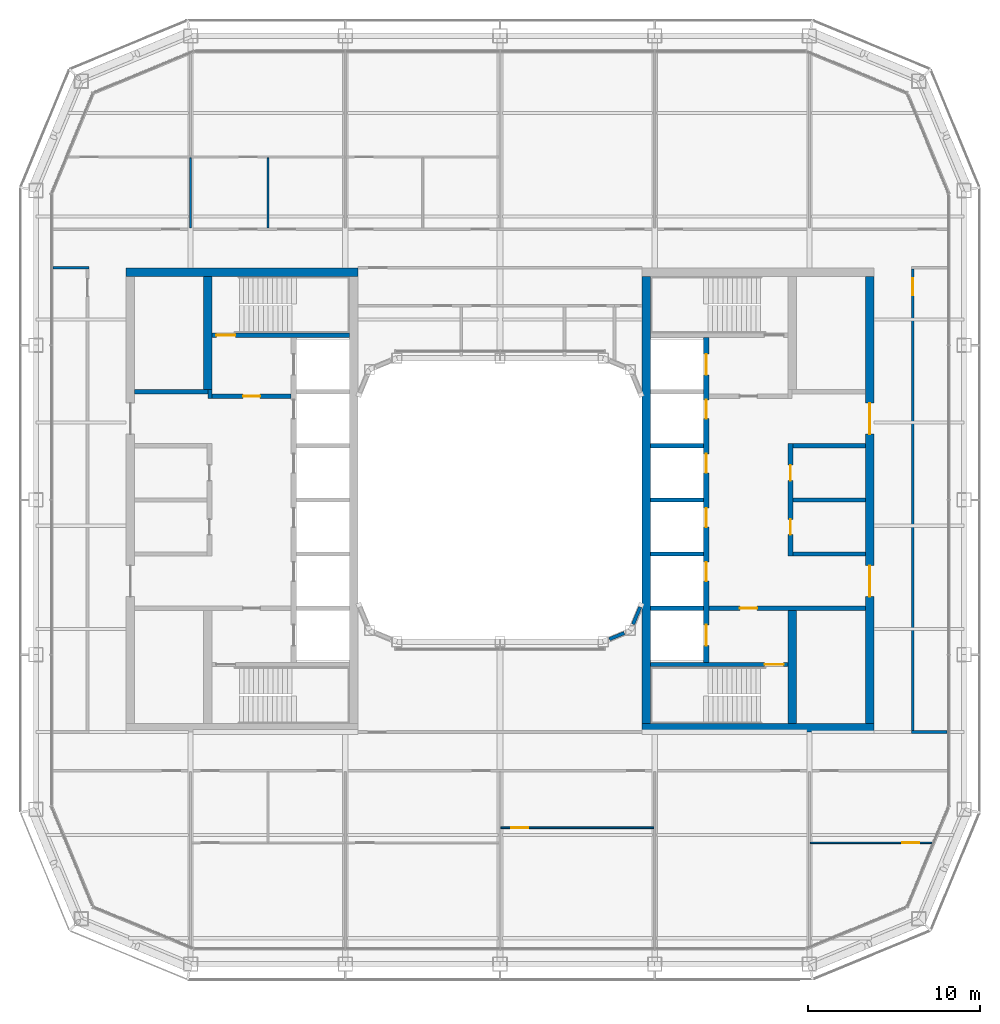
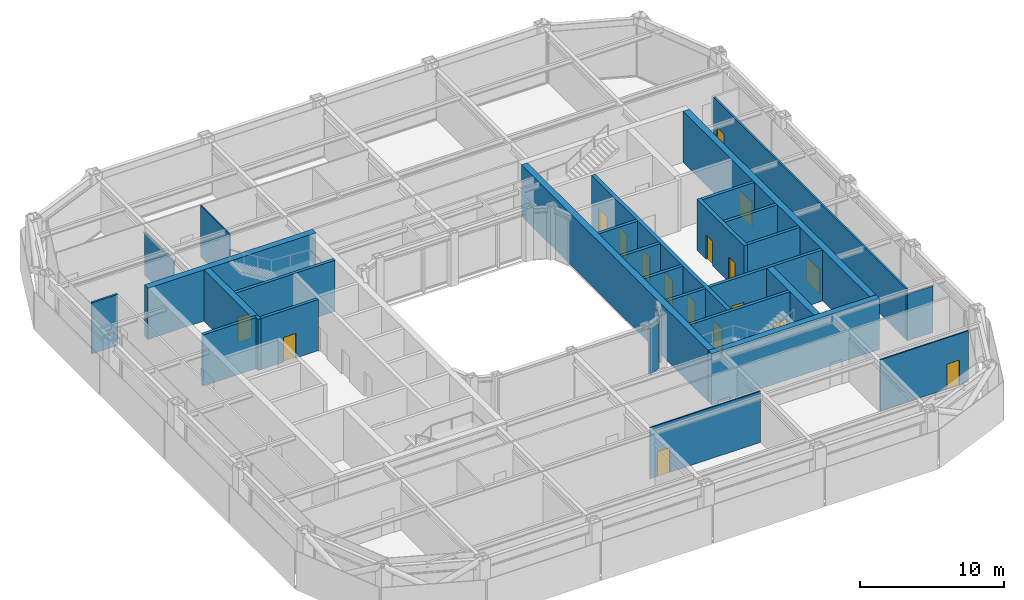
# One storey, part 13 of 19: 30 walls, 17 doors, 17 openings.
"""IFC4 building model written with IfcOpenShell, lengths in metres."""

from ifc_helpers import new_model, si_unit, direction, frame, frame_2d, origin, place, context, subcontext, project, spatial, rectangle, extrude, material, layer, layer_set, type_object, element, fill, save


model = new_model("IFC4")

# Units and contexts
model_context = context("Model", 3, precision=1e-05, world=origin(), true_north=direction((0.0, 1.0)))
body_context = subcontext(model_context, "Body", "Model", "MODEL_VIEW")
ifc_project = project(units=[si_unit("LENGTHUNIT", "METRE"), si_unit("AREAUNIT", "SQUARE_METRE"), si_unit("VOLUMEUNIT", "CUBIC_METRE"), si_unit("PLANEANGLEUNIT", "RADIAN"), si_unit("MASSUNIT", "GRAM", prefix="KILO")], contexts=[model_context])

# Site, building, storey
site_placement = place(None, origin())
site = spatial("IfcSite", under=ifc_project, at=site_placement, CompositionType="ELEMENT")
building_placement = place(site_placement, origin())
building = spatial("IfcBuilding", under=site, at=building_placement, Name="Siwar Civic Tower", CompositionType="ELEMENT")
storey_placement = place(building_placement, frame((0.0, 0.0, 228.699951171875)))
storey = spatial("IfcBuildingStorey", under=building, at=storey_placement, Name="L49", CompositionType="ELEMENT", Elevation=228.699951171875)

# Wall, opening, door
ifc_material_1 = material(Name="Concrete C60/75", Category="concrete")
ifc_layer_1 = layer(ifc_material_1, 0.25)
ifc_layer_set_1 = layer_set([ifc_layer_1], Name="Concrete C60/75")
wall_type_1 = type_object("IfcWallType", Name="CORE-WALL-RC250", PredefinedType="SHEAR", material=ifc_layer_set_1)
wall_1_placement = place(storey_placement, frame((-12.14990234375, 6.02490234375, 0.0), z_axis=(0.0, 0.0, 1.0), x_axis=(-1.0, 0.0, 0.0)))
wall_1 = element("IfcWall", 1, at=wall_1_placement, inside=storey, type_object=wall_type_1, Name="Core wall W", PredefinedType="SHEAR", context=body_context, shape_type="SweptSolid", body=[
    extrude(rectangle(XDim=4.60009765625, YDim=0.25, at=frame_2d((2.300048828125, 0.0))), origin(), (0.0, 0.0, 1.0), 4.35009765625),
])
opening_1_placement = place(wall_1_placement, frame((1.800048828125, 0.0, 0.0)))
opening_1 = element("IfcOpeningElement", 2, at=opening_1_placement, cuts=wall_1, Name="Opening L49-CW01", PredefinedType="OPENING", context=body_context, shape_type="SweptSolid", body=[
    extrude(rectangle(XDim=1.0, YDim=2.10009765625, at=frame_2d((0.5, 1.050048828125))), frame((0.0, 0.135009765625, 0.0), z_axis=(0.0, -1.0, 0.0), x_axis=(1.0, 0.0, 0.0)), (0.0, 0.0, 1.0), 0.27001953125),
])
ifc_material_2 = material(Name="Steel door leaf", Category="steel")
door_type_1 = type_object("IfcDoorType", Name="CORE-DOOR-FD30S", OperationType="SINGLE_SWING_LEFT", PredefinedType="DOOR", material=ifc_material_2)
door_1_placement = place(opening_1_placement, origin())
door_1 = element("IfcDoor", 3, at=door_1_placement, inside=storey, type_object=door_type_1, Name="Firefighting lobby door L49-CW01", OperationType="SINGLE_SWING_LEFT", OverallHeight=2.10009765625, OverallWidth=1.0, PredefinedType="DOOR", context=body_context, shape_type="SweptSolid", body=[
    extrude(rectangle(XDim=1.0, YDim=2.10009765625, at=frame_2d((0.5, 1.050048828125))), frame((0.0, 0.02490234375, 0.0), z_axis=(0.0, -1.0, 0.0), x_axis=(1.0, 0.0, 0.0)), (0.0, 0.0, 1.0), 0.050048828125),
])
fill(opening_1, door_1)

# Walls
wall_2_placement = place(storey_placement, frame((-16.875, 5.89990234375, 0.0), z_axis=(0.0, 0.0, 1.0), x_axis=(0.0, 1.0, 0.0)))
element("IfcWall", 4, at=wall_2_placement, inside=storey, type_object=wall_type_1, Name="Core wall W", PredefinedType="SHEAR", context=body_context, shape_type="SweptSolid", body=[
    extrude(rectangle(XDim=0.525146484375, YDim=0.25, at=frame_2d((0.2626953125, 0.0))), origin(), (0.0, 0.0, 1.0), 4.35009765625),
])
wall_3_placement = place(storey_placement, frame((-17.0, 6.300048828125, 0.0), z_axis=(0.0, 0.0, 1.0), x_axis=(-1.0, 0.0, 0.0)))
element("IfcWall", 5, at=wall_3_placement, inside=storey, type_object=wall_type_1, Name="Core wall W", PredefinedType="SHEAR", context=body_context, shape_type="SweptSolid", body=[
    extrude(rectangle(XDim=4.25, YDim=0.25, at=frame_2d((2.125, 0.0))), origin(), (0.0, 0.0, 1.0), 4.35009765625),
])

# Wall, opening, door
wall_4_placement = place(storey_placement, frame((-8.75, 9.574951171875, 0.0), z_axis=(0.0, 0.0, 1.0), x_axis=(-1.0, 0.0, 0.0)))
wall_4 = element("IfcWall", 6, at=wall_4_placement, inside=storey, type_object=wall_type_1, Name="Core wall W", PredefinedType="SHEAR", context=body_context, shape_type="SweptSolid", body=[
    extrude(rectangle(XDim=8.0, YDim=0.25, at=frame_2d((4.0, 0.0))), origin(), (0.0, 0.0, 1.0), 4.35009765625),
])
opening_2_placement = place(wall_4_placement, frame((6.64990234375, 0.0, 0.0)))
opening_2 = element("IfcOpeningElement", 7, at=opening_2_placement, cuts=wall_4, Name="Opening L49-CW03", PredefinedType="OPENING", context=body_context, shape_type="SweptSolid", body=[
    extrude(rectangle(XDim=1.10009765625, YDim=2.10009765625, at=frame_2d((0.550048828125, 1.050048828125))), frame((0.0, 0.135009765625, 0.0), z_axis=(0.0, -1.0, 0.0), x_axis=(1.0, 0.0, 0.0)), (0.0, 0.0, 1.0), 0.27001953125),
])
ifc_material_3 = material(Name="Steel door leaf", Category="steel")
door_type_2 = type_object("IfcDoorType", Name="CORE-DOOR-FD60S", OperationType="SINGLE_SWING_LEFT", PredefinedType="DOOR", material=ifc_material_3)
door_2_placement = place(opening_2_placement, origin())
door_2 = element("IfcDoor", 8, at=door_2_placement, inside=storey, type_object=door_type_2, Name="Stair door L49-CW03", OperationType="SINGLE_SWING_RIGHT", OverallHeight=2.10009765625, OverallWidth=1.10009765625, PredefinedType="DOOR", context=body_context, shape_type="SweptSolid", body=[
    extrude(rectangle(XDim=1.10009765625, YDim=2.10009765625, at=frame_2d((0.550048828125, 1.050048828125))), frame((0.0, 0.02490234375, 0.0), z_axis=(0.0, -1.0, 0.0), x_axis=(1.0, 0.0, 0.0)), (0.0, 0.0, 1.0), 0.050048828125),
])
fill(opening_2, door_2)

wall_5_placement = place(storey_placement, frame((12.14990234375, -6.300048828125, 0.0), z_axis=(0.0, 0.0, 1.0), x_axis=(1.0, 0.0, 0.0)))
wall_5 = element("IfcWall", 9, at=wall_5_placement, inside=storey, type_object=wall_type_1, Name="Core wall E", PredefinedType="SHEAR", context=body_context, shape_type="SweptSolid", body=[
    extrude(rectangle(XDim=9.10009765625, YDim=0.25, at=frame_2d((4.550048828125, 0.0))), origin(), (0.0, 0.0, 1.0), 4.35009765625),
])
opening_3_placement = place(wall_5_placement, frame((1.800048828125, 0.0, 0.0)))
opening_3 = element("IfcOpeningElement", 10, at=opening_3_placement, cuts=wall_5, Name="Opening L49-CE02", PredefinedType="OPENING", context=body_context, shape_type="SweptSolid", body=[
    extrude(rectangle(XDim=1.0, YDim=2.10009765625, at=frame_2d((0.5, 1.050048828125))), frame((0.0, 0.135009765625, 0.0), z_axis=(0.0, -1.0, 0.0), x_axis=(1.0, 0.0, 0.0)), (0.0, 0.0, 1.0), 0.27001953125),
])
door_3_placement = place(opening_3_placement, origin())
door_3 = element("IfcDoor", 11, at=door_3_placement, inside=storey, type_object=door_type_1, Name="Service lobby door L49-CE02", OperationType="SINGLE_SWING_LEFT", OverallHeight=2.10009765625, OverallWidth=1.0, PredefinedType="DOOR", context=body_context, shape_type="SweptSolid", body=[
    extrude(rectangle(XDim=1.0, YDim=2.10009765625, at=frame_2d((0.5, 1.050048828125))), frame((0.0, 0.02490234375, 0.0), z_axis=(0.0, -1.0, 0.0), x_axis=(1.0, 0.0, 0.0)), (0.0, 0.0, 1.0), 0.050048828125),
])
fill(opening_3, door_3)

# Walls
for number, where, z_axis, x_axis, name in (
    (12, (17.050048828125, 0.0, 0.0), (0.0, 0.0, 1.0), (1.0, 0.0, 0.0), "Core wall E"),
    (13, (17.050048828125, 3.14990234375, 0.0), (0.0, 0.0, 1.0), (1.0, 0.0, 0.0), "Core wall E"),
    (14, (17.050048828125, -3.14990234375, 0.0), (0.0, 0.0, 1.0), (1.0, 0.0, 0.0), "Core wall E"),
):
    element("IfcWall", number, at=place(storey_placement, frame(where, z_axis=z_axis, x_axis=x_axis)), inside=storey, type_object=wall_type_1, Name=name, PredefinedType="SHEAR", context=body_context, shape_type="SweptSolid", body=[
        extrude(rectangle(XDim=4.199951171875, YDim=0.25, at=frame_2d((2.10009765625, 0.0))), origin(), (0.0, 0.0, 1.0), 4.35009765625),
    ])
for number, where, z_axis, x_axis, name in (
    (15, (8.75, 0.0, 0.0), (0.0, 0.0, 1.0), (1.0, 0.0, 0.0), "Core wall E"),
    (16, (8.75, 3.14990234375, 0.0), (0.0, 0.0, 1.0), (1.0, 0.0, 0.0), "Core wall E"),
    (17, (8.75, -3.14990234375, 0.0), (0.0, 0.0, 1.0), (1.0, 0.0, 0.0), "Core wall E"),
    (18, (8.75, -6.300048828125, 0.0), (0.0, 0.0, 1.0), (1.0, 0.0, 0.0), "Core wall E"),
):
    element("IfcWall", number, at=place(storey_placement, frame(where, z_axis=z_axis, x_axis=x_axis)), inside=storey, type_object=wall_type_1, Name=name, PredefinedType="SHEAR", context=body_context, shape_type="SweptSolid", body=[
        extrude(rectangle(XDim=3.10009765625, YDim=0.25, at=frame_2d((1.550048828125, 0.0))), origin(), (0.0, 0.0, 1.0), 4.35009765625),
    ])

# Wall, opening, door
wall_6_placement = place(storey_placement, frame((8.75, -9.574951171875, 0.0), z_axis=(0.0, 0.0, 1.0), x_axis=(1.0, 0.0, 0.0)))
wall_6 = element("IfcWall", 19, at=wall_6_placement, inside=storey, type_object=wall_type_1, Name="Core wall E", PredefinedType="SHEAR", context=body_context, shape_type="SweptSolid", body=[
    extrude(rectangle(XDim=8.0, YDim=0.25, at=frame_2d((4.0, 0.0))), origin(), (0.0, 0.0, 1.0), 4.35009765625),
])
opening_4_placement = place(wall_6_placement, frame((6.64990234375, 0.0, 0.0)))
opening_4 = element("IfcOpeningElement", 20, at=opening_4_placement, cuts=wall_6, Name="Opening L49-CE04", PredefinedType="OPENING", context=body_context, shape_type="SweptSolid", body=[
    extrude(rectangle(XDim=1.10009765625, YDim=2.10009765625, at=frame_2d((0.550048828125, 1.050048828125))), frame((0.0, 0.135009765625, 0.0), z_axis=(0.0, -1.0, 0.0), x_axis=(1.0, 0.0, 0.0)), (0.0, 0.0, 1.0), 0.27001953125),
])
door_4_placement = place(opening_4_placement, origin())
door_4 = element("IfcDoor", 21, at=door_4_placement, inside=storey, type_object=door_type_2, Name="Stair door L49-CE04", OperationType="SINGLE_SWING_RIGHT", OverallHeight=2.10009765625, OverallWidth=1.10009765625, PredefinedType="DOOR", context=body_context, shape_type="SweptSolid", body=[
    extrude(rectangle(XDim=1.10009765625, YDim=2.10009765625, at=frame_2d((0.550048828125, 1.050048828125))), frame((0.0, 0.02490234375, 0.0), z_axis=(0.0, -1.0, 0.0), x_axis=(1.0, 0.0, 0.0)), (0.0, 0.0, 1.0), 0.050048828125),
])
fill(opening_4, door_4)

# Wall, openings, doors
ifc_material_4 = material(Name="Concrete C60/75", Category="concrete")
ifc_layer_2 = layer(ifc_material_4, 0.300048828125)
ifc_layer_set_2 = layer_set([ifc_layer_2], Name="Concrete C60/75")
wall_type_2 = type_object("IfcWallType", Name="CORE-WALL-RC300", PredefinedType="SHEAR", material=ifc_layer_set_2)
wall_7_placement = place(storey_placement, frame((12.0, -9.449951171875, 0.0), z_axis=(0.0, 0.0, 1.0), x_axis=(0.0, 1.0, 0.0)))
wall_7 = element("IfcWall", 22, at=wall_7_placement, inside=storey, type_object=wall_type_2, Name="Core wall E", PredefinedType="SHEAR", context=body_context, shape_type="SweptSolid", body=[
    extrude(rectangle(XDim=18.89990234375, YDim=0.300048828125, at=frame_2d((9.449951171875, 0.0))), origin(), (0.0, 0.0, 1.0), 4.35009765625),
])
opening_5_placement = place(wall_7_placement, frame((4.72509765625, 0.0, 0.0)))
opening_5 = element("IfcOpeningElement", 23, at=opening_5_placement, cuts=wall_7, Name="Opening L49-CE07", PredefinedType="OPENING", context=body_context, shape_type="SweptSolid", body=[
    extrude(rectangle(XDim=1.10009765625, YDim=2.10009765625, at=frame_2d((0.550048828125, 1.050048828125))), frame((0.0, 0.16015625, 0.0), z_axis=(0.0, -1.0, 0.0), x_axis=(1.0, 0.0, 0.0)), (0.0, 0.0, 1.0), 0.320068359375),
])
opening_6_placement = place(wall_7_placement, frame((7.875, 0.0, 0.0)))
opening_6 = element("IfcOpeningElement", 24, at=opening_6_placement, cuts=wall_7, Name="Opening L49-CE08", PredefinedType="OPENING", context=body_context, shape_type="SweptSolid", body=[
    extrude(rectangle(XDim=1.10009765625, YDim=2.10009765625, at=frame_2d((0.550048828125, 1.050048828125))), frame((0.0, 0.16015625, 0.0), z_axis=(0.0, -1.0, 0.0), x_axis=(1.0, 0.0, 0.0)), (0.0, 0.0, 1.0), 0.320068359375),
])
opening_7_placement = place(wall_7_placement, frame((11.02490234375, 0.0, 0.0)))
opening_7 = element("IfcOpeningElement", 25, at=opening_7_placement, cuts=wall_7, Name="Opening L49-CE09", PredefinedType="OPENING", context=body_context, shape_type="SweptSolid", body=[
    extrude(rectangle(XDim=1.10009765625, YDim=2.10009765625, at=frame_2d((0.550048828125, 1.050048828125))), frame((0.0, 0.16015625, 0.0), z_axis=(0.0, -1.0, 0.0), x_axis=(1.0, 0.0, 0.0)), (0.0, 0.0, 1.0), 0.320068359375),
])
opening_8_placement = place(wall_7_placement, frame((14.175048828125, 0.0, 0.0)))
opening_8 = element("IfcOpeningElement", 26, at=opening_8_placement, cuts=wall_7, Name="Opening L49-CE10", PredefinedType="OPENING", context=body_context, shape_type="SweptSolid", body=[
    extrude(rectangle(XDim=1.10009765625, YDim=2.10009765625, at=frame_2d((0.550048828125, 1.050048828125))), frame((0.0, 0.16015625, 0.0), z_axis=(0.0, -1.0, 0.0), x_axis=(1.0, 0.0, 0.0)), (0.0, 0.0, 1.0), 0.320068359375),
])
opening_9_placement = place(wall_7_placement, frame((16.72509765625, 0.0, 0.0)))
opening_9 = element("IfcOpeningElement", 27, at=opening_9_placement, cuts=wall_7, Name="Opening L49-CE11", PredefinedType="OPENING", context=body_context, shape_type="SweptSolid", body=[
    extrude(rectangle(XDim=1.199951171875, YDim=2.10009765625, at=frame_2d((0.60009765625, 1.050048828125))), frame((0.0, 0.16015625, 0.0), z_axis=(0.0, -1.0, 0.0), x_axis=(1.0, 0.0, 0.0)), (0.0, 0.0, 1.0), 0.320068359375),
])
opening_10_placement = place(wall_7_placement, frame((0.97509765625, 0.0, 0.0)))
opening_10 = element("IfcOpeningElement", 28, at=opening_10_placement, cuts=wall_7, Name="Opening L49-CE12", PredefinedType="OPENING", context=body_context, shape_type="SweptSolid", body=[
    extrude(rectangle(XDim=1.199951171875, YDim=2.10009765625, at=frame_2d((0.60009765625, 1.050048828125))), frame((0.0, 0.16015625, 0.0), z_axis=(0.0, -1.0, 0.0), x_axis=(1.0, 0.0, 0.0)), (0.0, 0.0, 1.0), 0.320068359375),
])
ifc_material_5 = material(Name="Steel door leaf", Category="steel")
door_type_3 = type_object("IfcDoorType", Name="CORE-DOOR-LD", OperationType="DOUBLE_DOOR_SLIDING", PredefinedType="DOOR", material=ifc_material_5)
door_5_placement = place(opening_5_placement, origin())
door_5 = element("IfcDoor", 29, at=door_5_placement, inside=storey, type_object=door_type_3, Name="Landing door HR5 L49-CE07", OperationType="DOUBLE_DOOR_SLIDING", OverallHeight=2.10009765625, OverallWidth=1.10009765625, PredefinedType="DOOR", context=body_context, shape_type="SweptSolid", body=[
    extrude(rectangle(XDim=1.10009765625, YDim=2.10009765625, at=frame_2d((0.550048828125, 1.050048828125))), frame((0.0, 0.02490234375, 0.0), z_axis=(0.0, -1.0, 0.0), x_axis=(1.0, 0.0, 0.0)), (0.0, 0.0, 1.0), 0.050048828125),
])
fill(opening_5, door_5)
door_6_placement = place(opening_6_placement, origin())
door_6 = element("IfcDoor", 30, at=door_6_placement, inside=storey, type_object=door_type_3, Name="Landing door HR6 L49-CE08", OperationType="DOUBLE_DOOR_SLIDING", OverallHeight=2.10009765625, OverallWidth=1.10009765625, PredefinedType="DOOR", context=body_context, shape_type="SweptSolid", body=[
    extrude(rectangle(XDim=1.10009765625, YDim=2.10009765625, at=frame_2d((0.550048828125, 1.050048828125))), frame((0.0, 0.02490234375, 0.0), z_axis=(0.0, -1.0, 0.0), x_axis=(1.0, 0.0, 0.0)), (0.0, 0.0, 1.0), 0.050048828125),
])
fill(opening_6, door_6)
door_7_placement = place(opening_7_placement, origin())
door_7 = element("IfcDoor", 31, at=door_7_placement, inside=storey, type_object=door_type_3, Name="Landing door HR7 L49-CE09", OperationType="DOUBLE_DOOR_SLIDING", OverallHeight=2.10009765625, OverallWidth=1.10009765625, PredefinedType="DOOR", context=body_context, shape_type="SweptSolid", body=[
    extrude(rectangle(XDim=1.10009765625, YDim=2.10009765625, at=frame_2d((0.550048828125, 1.050048828125))), frame((0.0, 0.02490234375, 0.0), z_axis=(0.0, -1.0, 0.0), x_axis=(1.0, 0.0, 0.0)), (0.0, 0.0, 1.0), 0.050048828125),
])
fill(opening_7, door_7)
door_8_placement = place(opening_8_placement, origin())
door_8 = element("IfcDoor", 32, at=door_8_placement, inside=storey, type_object=door_type_3, Name="Landing door HR8 L49-CE10", OperationType="DOUBLE_DOOR_SLIDING", OverallHeight=2.10009765625, OverallWidth=1.10009765625, PredefinedType="DOOR", context=body_context, shape_type="SweptSolid", body=[
    extrude(rectangle(XDim=1.10009765625, YDim=2.10009765625, at=frame_2d((0.550048828125, 1.050048828125))), frame((0.0, 0.02490234375, 0.0), z_axis=(0.0, -1.0, 0.0), x_axis=(1.0, 0.0, 0.0)), (0.0, 0.0, 1.0), 0.050048828125),
])
fill(opening_8, door_8)
ifc_material_6 = material(Name="Steel door leaf", Category="steel")
door_type_4 = type_object("IfcDoorType", Name="CORE-DOOR-LDW", OperationType="DOUBLE_DOOR_SLIDING", PredefinedType="DOOR", material=ifc_material_6)
door_9_placement = place(opening_9_placement, origin())
door_9 = element("IfcDoor", 33, at=door_9_placement, inside=storey, type_object=door_type_4, Name="Landing door FF2 L49-CE11", OperationType="DOUBLE_DOOR_SLIDING", OverallHeight=2.10009765625, OverallWidth=1.199951171875, PredefinedType="DOOR", context=body_context, shape_type="SweptSolid", body=[
    extrude(rectangle(XDim=1.199951171875, YDim=2.10009765625, at=frame_2d((0.60009765625, 1.050048828125))), frame((0.0, 0.02490234375, 0.0), z_axis=(0.0, -1.0, 0.0), x_axis=(1.0, 0.0, 0.0)), (0.0, 0.0, 1.0), 0.050048828125),
])
fill(opening_9, door_9)
door_10_placement = place(opening_10_placement, origin())
door_10 = element("IfcDoor", 34, at=door_10_placement, inside=storey, type_object=door_type_4, Name="Landing door SV2 L49-CE12", OperationType="DOUBLE_DOOR_SLIDING", OverallHeight=2.10009765625, OverallWidth=1.199951171875, PredefinedType="DOOR", context=body_context, shape_type="SweptSolid", body=[
    extrude(rectangle(XDim=1.199951171875, YDim=2.10009765625, at=frame_2d((0.60009765625, 1.050048828125))), frame((0.0, 0.02490234375, 0.0), z_axis=(0.0, -1.0, 0.0), x_axis=(1.0, 0.0, 0.0)), (0.0, 0.0, 1.0), 0.050048828125),
])
fill(opening_10, door_10)

wall_8_placement = place(storey_placement, frame((16.89990234375, -3.27490234375, 0.0), z_axis=(0.0, 0.0, 1.0), x_axis=(0.0, 1.0, 0.0)))
wall_8 = element("IfcWall", 35, at=wall_8_placement, inside=storey, type_object=wall_type_2, Name="Core wall E", PredefinedType="SHEAR", context=body_context, shape_type="SweptSolid", body=[
    extrude(rectangle(XDim=6.5498046875, YDim=0.300048828125, at=frame_2d((3.27490234375, 0.0))), origin(), (0.0, 0.0, 1.0), 4.35009765625),
])
opening_11_placement = place(wall_8_placement, frame((1.25, 0.0, 0.0)))
opening_11 = element("IfcOpeningElement", 36, at=opening_11_placement, cuts=wall_8, Name="Opening L49-CE13", PredefinedType="OPENING", context=body_context, shape_type="SweptSolid", body=[
    extrude(rectangle(XDim=0.89990234375, YDim=2.10009765625, at=frame_2d((0.449951171875, 1.050048828125))), frame((0.0, 0.16015625, 0.0), z_axis=(0.0, -1.0, 0.0), x_axis=(1.0, 0.0, 0.0)), (0.0, 0.0, 1.0), 0.320068359375),
])
opening_12_placement = place(wall_8_placement, frame((4.39990234375, 0.0, 0.0)))
opening_12 = element("IfcOpeningElement", 37, at=opening_12_placement, cuts=wall_8, Name="Opening L49-CE14", PredefinedType="OPENING", context=body_context, shape_type="SweptSolid", body=[
    extrude(rectangle(XDim=0.89990234375, YDim=2.10009765625, at=frame_2d((0.449951171875, 1.050048828125))), frame((0.0, 0.16015625, 0.0), z_axis=(0.0, -1.0, 0.0), x_axis=(1.0, 0.0, 0.0)), (0.0, 0.0, 1.0), 0.320068359375),
])
ifc_material_7 = material(Name="Steel door leaf", Category="steel")
door_type_5 = type_object("IfcDoorType", Name="CORE-DOOR-ROOM", OperationType="SINGLE_SWING_LEFT", PredefinedType="DOOR", material=ifc_material_7)
door_11_placement = place(opening_11_placement, origin())
door_11 = element("IfcDoor", 38, at=door_11_placement, inside=storey, type_object=door_type_5, Name="Core room door L49-CE13", OperationType="SINGLE_SWING_RIGHT", OverallHeight=2.10009765625, OverallWidth=0.89990234375, PredefinedType="DOOR", context=body_context, shape_type="SweptSolid", body=[
    extrude(rectangle(XDim=0.89990234375, YDim=2.10009765625, at=frame_2d((0.449951171875, 1.050048828125))), frame((0.0, 0.02490234375, 0.0), z_axis=(0.0, -1.0, 0.0), x_axis=(1.0, 0.0, 0.0)), (0.0, 0.0, 1.0), 0.050048828125),
])
fill(opening_11, door_11)
door_12_placement = place(opening_12_placement, origin())
door_12 = element("IfcDoor", 39, at=door_12_placement, inside=storey, type_object=door_type_5, Name="Core room door L49-CE14", OperationType="SINGLE_SWING_LEFT", OverallHeight=2.10009765625, OverallWidth=0.89990234375, PredefinedType="DOOR", context=body_context, shape_type="SweptSolid", body=[
    extrude(rectangle(XDim=0.89990234375, YDim=2.10009765625, at=frame_2d((0.449951171875, 1.050048828125))), frame((0.0, 0.02490234375, 0.0), z_axis=(0.0, -1.0, 0.0), x_axis=(1.0, 0.0, 0.0)), (0.0, 0.0, 1.0), 0.050048828125),
])
fill(opening_12, door_12)

# Walls
ifc_material_8 = material(Name="Concrete C60/75", Category="concrete")
ifc_layer_3 = layer(ifc_material_8, 0.5)
ifc_layer_set_3 = layer_set([ifc_layer_3], Name="Concrete C60/75")
wall_type_3 = type_object("IfcWallType", Name="CORE-WALL-RC500", PredefinedType="SHEAR", material=ifc_layer_set_3)
wall_9_placement = place(storey_placement, frame((-17.0, 6.425048828125, 0.0), z_axis=(0.0, 0.0, 1.0), x_axis=(0.0, 1.0, 0.0)))
element("IfcWall", 40, at=wall_9_placement, inside=storey, type_object=wall_type_3, Name="Core wall W", PredefinedType="SHEAR", context=body_context, shape_type="SweptSolid", body=[
    extrude(rectangle(XDim=6.574951171875, YDim=0.5, at=frame_2d((3.28759765625, 0.0))), origin(), (0.0, 0.0, 1.0), 4.35009765625),
])
wall_10_placement = place(storey_placement, frame((-8.25, 13.25, 0.0), z_axis=(0.0, 0.0, 1.0), x_axis=(-1.0, 0.0, 0.0)))
element("IfcWall", 41, at=wall_10_placement, inside=storey, type_object=wall_type_3, Name="Core wall W", PredefinedType="SHEAR", context=body_context, shape_type="SweptSolid", body=[
    extrude(rectangle(XDim=13.5, YDim=0.5, at=frame_2d((6.75, 0.0))), origin(), (0.0, 0.0, 1.0), 4.35009765625),
])

# Wall, openings, doors
wall_11_placement = place(storey_placement, frame((21.5, -13.0, 0.0), z_axis=(0.0, 0.0, 1.0), x_axis=(0.0, 1.0, 0.0)))
wall_11 = element("IfcWall", 42, at=wall_11_placement, inside=storey, type_object=wall_type_3, Name="Core wall E", PredefinedType="SHEAR", context=body_context, shape_type="SweptSolid", body=[
    extrude(rectangle(XDim=26.0, YDim=0.5, at=frame_2d((13.0, 0.0))), origin(), (0.0, 0.0, 1.0), 4.35009765625),
])
opening_13_placement = place(wall_11_placement, frame((16.824951171875, 0.0, 0.0)))
opening_13 = element("IfcOpeningElement", 43, at=opening_13_placement, cuts=wall_11, Name="Opening L49-CE05", PredefinedType="OPENING", context=body_context, shape_type="SweptSolid", body=[
    extrude(rectangle(XDim=1.800048828125, YDim=2.10009765625, at=frame_2d((0.89990234375, 1.050048828125))), frame((0.0, 0.260009765625, 0.0), z_axis=(0.0, -1.0, 0.0), x_axis=(1.0, 0.0, 0.0)), (0.0, 0.0, 1.0), 0.52001953125),
])
opening_14_placement = place(wall_11_placement, frame((7.375, 0.0, 0.0)))
opening_14 = element("IfcOpeningElement", 44, at=opening_14_placement, cuts=wall_11, Name="Opening L49-CE06", PredefinedType="OPENING", context=body_context, shape_type="SweptSolid", body=[
    extrude(rectangle(XDim=1.800048828125, YDim=2.10009765625, at=frame_2d((0.89990234375, 1.050048828125))), frame((0.0, 0.260009765625, 0.0), z_axis=(0.0, -1.0, 0.0), x_axis=(1.0, 0.0, 0.0)), (0.0, 0.0, 1.0), 0.52001953125),
])
ifc_material_9 = material(Name="Steel door leaf", Category="steel")
door_type_6 = type_object("IfcDoorType", Name="CORE-DOOR-PORT", OperationType="DOUBLE_DOOR_DOUBLE_SWING", PredefinedType="DOOR", material=ifc_material_9)
door_13_placement = place(opening_13_placement, origin())
door_13 = element("IfcDoor", 45, at=door_13_placement, inside=storey, type_object=door_type_6, Name="Core entrance door L49-CE05", OperationType="DOUBLE_DOOR_DOUBLE_SWING", OverallHeight=2.10009765625, OverallWidth=1.800048828125, PredefinedType="DOOR", context=body_context, shape_type="SweptSolid", body=[
    extrude(rectangle(XDim=1.800048828125, YDim=2.10009765625, at=frame_2d((0.89990234375, 1.050048828125))), frame((0.0, 0.02490234375, 0.0), z_axis=(0.0, -1.0, 0.0), x_axis=(1.0, 0.0, 0.0)), (0.0, 0.0, 1.0), 0.050048828125),
])
fill(opening_13, door_13)
door_14_placement = place(opening_14_placement, origin())
door_14 = element("IfcDoor", 46, at=door_14_placement, inside=storey, type_object=door_type_6, Name="Core entrance door L49-CE06", OperationType="DOUBLE_DOOR_DOUBLE_SWING", OverallHeight=2.10009765625, OverallWidth=1.800048828125, PredefinedType="DOOR", context=body_context, shape_type="SweptSolid", body=[
    extrude(rectangle(XDim=1.800048828125, YDim=2.10009765625, at=frame_2d((0.89990234375, 1.050048828125))), frame((0.0, 0.02490234375, 0.0), z_axis=(0.0, -1.0, 0.0), x_axis=(1.0, 0.0, 0.0)), (0.0, 0.0, 1.0), 0.050048828125),
])
fill(opening_14, door_14)

# Walls
wall_12_placement = place(storey_placement, frame((17.0, -13.0, 0.0), z_axis=(0.0, 0.0, 1.0), x_axis=(0.0, 1.0, 0.0)))
element("IfcWall", 47, at=wall_12_placement, inside=storey, type_object=wall_type_3, Name="Core wall E", PredefinedType="SHEAR", context=body_context, shape_type="SweptSolid", body=[
    extrude(rectangle(XDim=6.574951171875, YDim=0.5, at=frame_2d((3.28759765625, 0.0))), origin(), (0.0, 0.0, 1.0), 4.35009765625),
])
wall_13_placement = place(storey_placement, frame((8.25, -13.25, 0.0), z_axis=(0.0, 0.0, 1.0), x_axis=(1.0, 0.0, 0.0)))
element("IfcWall", 48, at=wall_13_placement, inside=storey, type_object=wall_type_3, Name="Core wall E", PredefinedType="SHEAR", context=body_context, shape_type="SweptSolid", body=[
    extrude(rectangle(XDim=13.5, YDim=0.5, at=frame_2d((6.75, 0.0))), origin(), (0.0, 0.0, 1.0), 4.35009765625),
])
ifc_material_10 = material(Name="Concrete C60/75", Category="concrete")
ifc_layer_4 = layer(ifc_material_10, 0.5)
ifc_layer_set_4 = layer_set([ifc_layer_4], Name="Concrete C60/75")
wall_type_4 = type_object("IfcWallType", Name="CORE-WALL-RC500-EXT", PredefinedType="SHEAR", material=ifc_layer_set_4)
wall_14_placement = place(storey_placement, frame((8.5, -13.0, 0.0), z_axis=(0.0, 0.0, 1.0), x_axis=(0.0, 1.0, 0.0)))
element("IfcWall", 49, at=wall_14_placement, inside=storey, type_object=wall_type_4, Name="Core wall E", PredefinedType="SHEAR", context=body_context, shape_type="SweptSolid", body=[
    extrude(rectangle(XDim=26.0, YDim=0.5, at=frame_2d((13.0, 0.0))), origin(), (0.0, 0.0, 1.0), 4.35009765625),
])
ifc_material_11 = material(Name="Gypsum board on steel studs", Category="steel")
ifc_layer_5 = layer(ifc_material_11, 0.14990234375)
ifc_layer_set_5 = layer_set([ifc_layer_5], Name="Gypsum board on steel studs")
wall_type_5 = type_object("IfcWallType", Name="CORRIDOR PARTITION 150 EI 30", PredefinedType="PARTITIONING", material=ifc_layer_set_5)
wall_15_placement = place(storey_placement, frame((23.925048828125, -13.5, 0.0), z_axis=(0.0, 0.0, 1.0), x_axis=(1.0, 0.0, 0.0)))
element("IfcWall", 50, at=wall_15_placement, inside=storey, type_object=wall_type_5, Name="L49/wall/P07", PredefinedType="PARTITIONING", context=body_context, shape_type="SweptSolid", body=[
    extrude(rectangle(XDim=2.0849609375, YDim=0.14990234375, at=frame_2d((1.04248046875, 0.0))), origin(), (0.0, 0.0, 1.0), 3.949951171875),
])
wall_16_placement = place(storey_placement, frame((-26.010009765625, 13.5, 0.0), z_axis=(0.0, 0.0, 1.0), x_axis=(1.0, 0.0, 0.0)))
element("IfcWall", 51, at=wall_16_placement, inside=storey, type_object=wall_type_5, Name="L49/wall/P10", PredefinedType="PARTITIONING", context=body_context, shape_type="SweptSolid", body=[
    extrude(rectangle(XDim=2.0849609375, YDim=0.14990234375, at=frame_2d((1.04248046875, 0.0))), origin(), (0.0, 0.0, 1.0), 4.35009765625),
])

# Wall, opening, door
wall_17_placement = place(storey_placement, frame((24.0, -13.425048828125, 0.0), z_axis=(0.0, 0.0, 1.0), x_axis=(0.0, 1.0, 0.0)))
wall_17 = element("IfcWall", 52, at=wall_17_placement, inside=storey, type_object=wall_type_5, Name="L49/wall/P35", PredefinedType="PARTITIONING", context=body_context, shape_type="SweptSolid", body=[
    extrude(rectangle(XDim=26.85009765625, YDim=0.14990234375, at=frame_2d((13.425048828125, 0.0))), origin(), (0.0, 0.0, 1.0), 4.35009765625),
])
opening_15_placement = place(wall_17_placement, frame((25.324951171875, 0.0, 0.0)))
opening_15 = element("IfcOpeningElement", 53, at=opening_15_placement, cuts=wall_17, Name="Opening D1", PredefinedType="OPENING", context=body_context, shape_type="SweptSolid", body=[
    extrude(rectangle(XDim=1.0, YDim=2.10009765625, at=frame_2d((0.5, 1.050048828125))), frame((0.0, 0.0849609375, 0.0), z_axis=(0.0, -1.0, 0.0), x_axis=(1.0, 0.0, 0.0)), (0.0, 0.0, 1.0), 0.169921875),
])
ifc_material_12 = material(Name="Timber, painted", Category="wood")
door_type_7 = type_object("IfcDoorType", Name="DOOR 1000 X 2100 FD30", OperationType="SINGLE_SWING_LEFT", PredefinedType="DOOR", material=ifc_material_12)
door_15_placement = place(opening_15_placement, origin())
door_15 = element("IfcDoor", 54, at=door_15_placement, inside=storey, type_object=door_type_7, Name="L49-D24", OperationType="SINGLE_SWING_RIGHT", OverallHeight=2.10009765625, OverallWidth=1.0, PredefinedType="DOOR", context=body_context, shape_type="SweptSolid", body=[
    extrude(rectangle(XDim=1.0, YDim=2.10009765625, at=frame_2d((0.5, 1.050048828125))), frame((0.0, 0.02490234375, 0.0), z_axis=(0.0, -1.0, 0.0), x_axis=(1.0, 0.0, 0.0)), (0.0, 0.0, 1.0), 0.050048828125),
])
fill(opening_15, door_15)

# Walls
ifc_material_13 = material(Name="Aluminium clad insulated panel", Category="aluminium")
ifc_layer_6 = layer(ifc_material_13, 0.199951171875)
ifc_layer_set_6 = layer_set([ifc_layer_6], Name="Aluminium clad insulated panel")
wall_type_6 = type_object("IfcWallType", Name="ENV-WALL-WELL", PredefinedType="STANDARD", material=ifc_layer_set_6)
wall_18_placement = place(storey_placement, frame((6.362060546875, -8.10009765625, 0.0), z_axis=(0.0, 0.0, 1.0), x_axis=(0.923829670615, 0.382803787458, 0.0)))
element("IfcWall", 55, at=wall_18_placement, inside=storey, type_object=wall_type_6, Name="Light well corner wall SE1", PredefinedType="STANDARD", context=body_context, shape_type="SweptSolid", body=[
    extrude(rectangle(XDim=0.938232421875, YDim=0.199951171875, at=frame_2d((0.46923828125, 0.0))), origin(), (0.0, 0.0, 1.0), 3.91796875),
])
wall_19_placement = place(storey_placement, frame((7.740966796875, -7.228759765625, 0.0), z_axis=(0.0, 0.0, 1.0), x_axis=(0.382704496366, 0.923870807235, 0.0)))
element("IfcWall", 56, at=wall_19_placement, inside=storey, type_object=wall_type_6, Name="Light well corner wall SE2", PredefinedType="STANDARD", context=body_context, shape_type="SweptSolid", body=[
    extrude(rectangle(XDim=1.080078125, YDim=0.199951171875, at=frame_2d((0.5400390625, 0.0))), origin(), (0.0, 0.0, 1.0), 3.91796875),
])

# Wall, opening, door
ifc_material_14 = material(Name="Gypsum board on steel studs", Category="steel")
ifc_layer_7 = layer(ifc_material_14, 0.10009765625)
ifc_layer_set_7 = layer_set([ifc_layer_7], Name="Gypsum board on steel studs")
wall_type_7 = type_object("IfcWallType", Name="PARTITION 100 GYPSUM", PredefinedType="PARTITIONING", material=ifc_layer_set_7)
wall_20_placement = place(storey_placement, frame((18.050048828125, -19.949951171875, 0.0), z_axis=(0.0, 0.0, 1.0), x_axis=(1.0, 0.0, 0.0)))
wall_20 = element("IfcWall", 57, at=wall_20_placement, inside=storey, type_object=wall_type_7, Name="L49/wall/P02", PredefinedType="PARTITIONING", context=body_context, shape_type="SweptSolid", body=[
    extrude(rectangle(XDim=7.071044921875, YDim=0.10009765625, at=frame_2d((3.53564453125, 0.0))), origin(), (0.0, 0.0, 1.0), 4.35009765625),
])
opening_16_placement = place(wall_20_placement, frame((5.35009765625, 0.0, 0.0)))
opening_16 = element("IfcOpeningElement", 58, at=opening_16_placement, cuts=wall_20, Name="Opening D2", PredefinedType="OPENING", context=body_context, shape_type="SweptSolid", body=[
    extrude(rectangle(XDim=1.0, YDim=2.10009765625, at=frame_2d((0.5, 1.050048828125))), frame((0.0, 0.06005859375, 0.0), z_axis=(0.0, -1.0, 0.0), x_axis=(1.0, 0.0, 0.0)), (0.0, 0.0, 1.0), 0.1201171875),
])
ifc_material_15 = material(Name="Timber, painted", Category="wood")
door_type_8 = type_object("IfcDoorType", Name="DOOR 1000 X 2100", OperationType="SINGLE_SWING_LEFT", PredefinedType="DOOR", material=ifc_material_15)
door_16_placement = place(opening_16_placement, origin())
door_16 = element("IfcDoor", 59, at=door_16_placement, inside=storey, type_object=door_type_8, Name="L49-D22", OperationType="SINGLE_SWING_RIGHT", OverallHeight=2.10009765625, OverallWidth=1.0, PredefinedType="DOOR", context=body_context, shape_type="SweptSolid", body=[
    extrude(rectangle(XDim=1.0, YDim=2.10009765625, at=frame_2d((0.5, 1.050048828125))), frame((0.0, 0.02490234375, 0.0), z_axis=(0.0, -1.0, 0.0), x_axis=(1.0, 0.0, 0.0)), (0.0, 0.0, 1.0), 0.050048828125),
])
fill(opening_16, door_16)

wall_21_placement = place(storey_placement, frame((0.050048828125, -19.070068359375, 0.0), z_axis=(0.0, 0.0, 1.0), x_axis=(1.0, 0.0, 0.0)))
wall_21 = element("IfcWall", 60, at=wall_21_placement, inside=storey, type_object=wall_type_7, Name="L49/wall/P03", PredefinedType="PARTITIONING", context=body_context, shape_type="SweptSolid", body=[
    extrude(rectangle(XDim=8.89990234375, YDim=0.10009765625, at=frame_2d((4.449951171875, 0.0))), origin(), (0.0, 0.0, 1.0), 4.35009765625),
])
opening_17_placement = place(wall_21_placement, frame((0.60009765625, 0.0, 0.0)))
opening_17 = element("IfcOpeningElement", 61, at=opening_17_placement, cuts=wall_21, Name="Opening D2", PredefinedType="OPENING", context=body_context, shape_type="SweptSolid", body=[
    extrude(rectangle(XDim=1.0, YDim=2.10009765625, at=frame_2d((0.5, 1.050048828125))), frame((0.0, 0.06005859375, 0.0), z_axis=(0.0, -1.0, 0.0), x_axis=(1.0, 0.0, 0.0)), (0.0, 0.0, 1.0), 0.1201171875),
])
door_17_placement = place(opening_17_placement, origin())
door_17 = element("IfcDoor", 62, at=door_17_placement, inside=storey, type_object=door_type_8, Name="L49-D15", OperationType="SINGLE_SWING_LEFT", OverallHeight=2.10009765625, OverallWidth=1.0, PredefinedType="DOOR", context=body_context, shape_type="SweptSolid", body=[
    extrude(rectangle(XDim=1.0, YDim=2.10009765625, at=frame_2d((0.5, 1.050048828125))), frame((0.0, 0.02490234375, 0.0), z_axis=(0.0, -1.0, 0.0), x_axis=(1.0, 0.0, 0.0)), (0.0, 0.0, 1.0), 0.050048828125),
])
fill(opening_17, door_17)

# Walls
wall_22_placement = place(storey_placement, frame((-18.0, 15.824951171875, 0.0), z_axis=(0.0, 0.0, 1.0), x_axis=(0.0, 1.0, 0.0)))
element("IfcWall", 63, at=wall_22_placement, inside=storey, type_object=wall_type_7, Name="L49/wall/P17", PredefinedType="PARTITIONING", context=body_context, shape_type="SweptSolid", body=[
    extrude(rectangle(XDim=4.074951171875, YDim=0.10009765625, at=frame_2d((2.03759765625, 0.0))), origin(), (0.0, 0.0, 1.0), 3.650146484375),
])
wall_23_placement = place(storey_placement, frame((-13.5, 15.824951171875, 0.0), z_axis=(0.0, 0.0, 1.0), x_axis=(0.0, 1.0, 0.0)))
element("IfcWall", 64, at=wall_23_placement, inside=storey, type_object=wall_type_7, Name="L49/wall/P20", PredefinedType="PARTITIONING", context=body_context, shape_type="SweptSolid", body=[
    extrude(rectangle(XDim=4.074951171875, YDim=0.10009765625, at=frame_2d((2.03759765625, 0.0))), origin(), (0.0, 0.0, 1.0), 4.35009765625),
])

save(model, "model.ifc")
